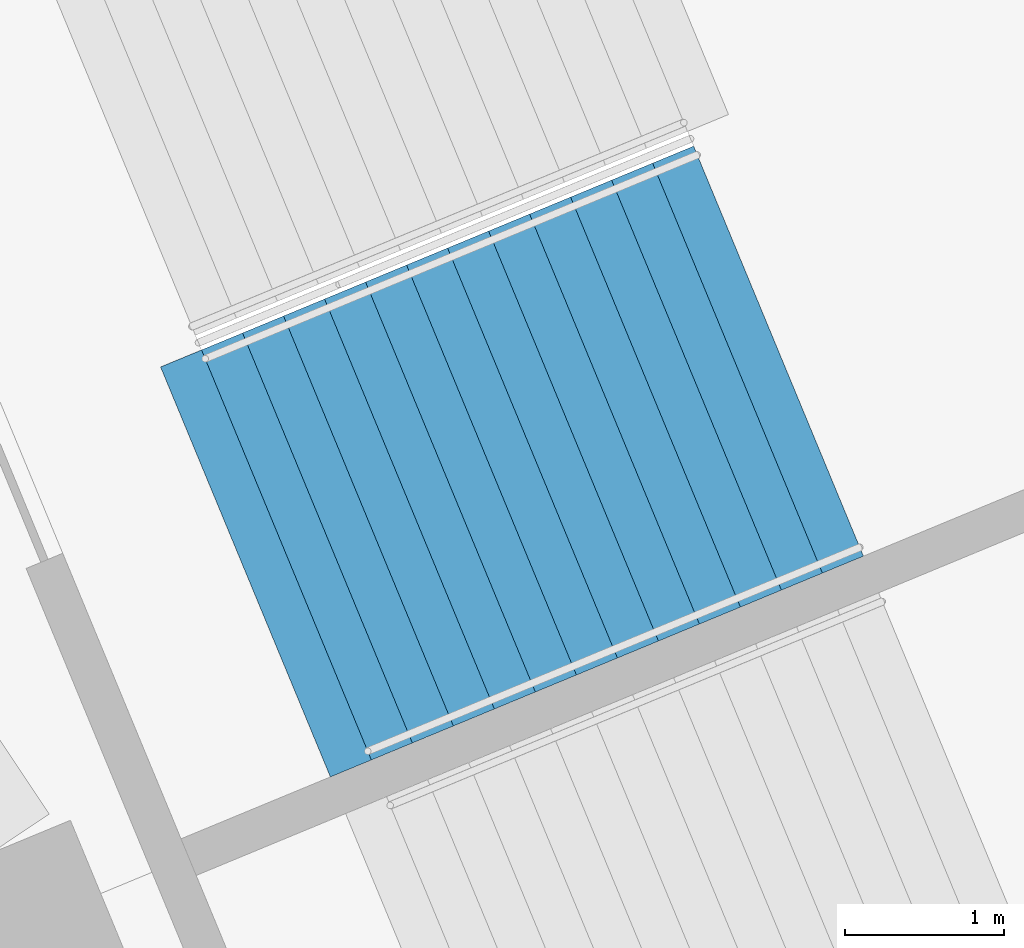
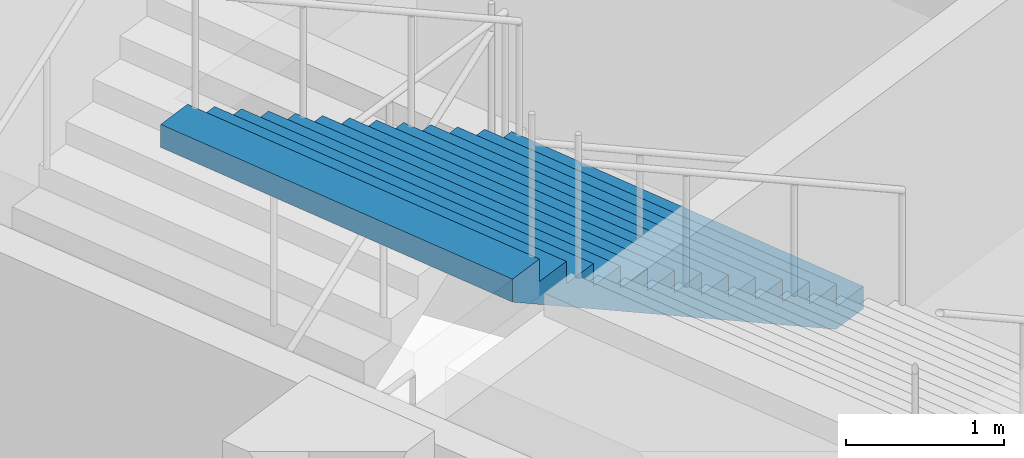
# One storey, part 179 of 199: 1 stair flight, 1 element without a shape of its own.
"""IFC4 building model written with IfcOpenShell, lengths in metres."""

from ifc_helpers import new_model, si_unit, direction, frame, origin, place, context, subcontext, project, spatial, faceted_brep, material, type_object, element, aggregate, save


model = new_model("IFC4")

# Units and contexts
model_context = context("Model", 3, precision=1e-05, world=origin(), true_north=direction((0.0, 1.0)))
body_context = subcontext(model_context, "Body", "Model", "MODEL_VIEW")
ifc_project = project(units=[si_unit("LENGTHUNIT", "METRE"), si_unit("AREAUNIT", "SQUARE_METRE"), si_unit("VOLUMEUNIT", "CUBIC_METRE"), si_unit("PLANEANGLEUNIT", "RADIAN"), si_unit("MASSUNIT", "GRAM", prefix="KILO")], contexts=[model_context])

# Site, building, storey
site_placement = place(None, origin())
site = spatial("IfcSite", under=ifc_project, at=site_placement, CompositionType="ELEMENT")
building_placement = place(site_placement, origin())
building = spatial("IfcBuilding", under=site, at=building_placement, Name="Ogive Plaza Stadium", CompositionType="ELEMENT")
storey_placement = place(building_placement, frame((0.0, 0.0, 4.5)))
storey = spatial("IfcBuildingStorey", under=building, at=storey_placement, Name="L01", CompositionType="ELEMENT", Elevation=4.5)

# Stair, stair flight
ifc_material_1 = material(Name="Concrete C40/50", Category="concrete")
stair_type = type_object("IfcStairType", Name="Exit stair", PredefinedType="STRAIGHT_RUN_STAIR", material=ifc_material_1)
stair_placement = place(storey_placement, origin())
stair = element("IfcStair", 1, at=stair_placement, inside=storey, type_object=stair_type, Name="Exit stair ST40B L01 to L02", PredefinedType="STRAIGHT_RUN_STAIR")
ifc_material_2 = material(Name="Concrete C40/50", Category="concrete")
stair_flight_type = type_object("IfcStairFlightType", Name="Exit stair flight", PredefinedType="STRAIGHT", material=ifc_material_2)
stair_flight_placement = place(storey_placement, frame((75.64697265625, 71.4013671875, 2.25), z_axis=(0.0, 0.0, 1.0), x_axis=(-0.923879532511, -0.382683432365, 0.0)))
stair_flight = element("IfcStairFlight", 2, at=stair_flight_placement, type_object=stair_flight_type, Name="ST40B flight 2", NumberOfRisers=13, NumberOfTreads=12, PredefinedType="STRAIGHT", RiserHeight=0.173076923, TreadLength=0.28, context=body_context, shape_type="Brep", body=[
    faceted_brep([(0.28515625, -1.39990234375, 0.0), (3.639892578125, -1.39990234375, 2.07373046875), (3.639892578125, -1.39990234375, 2.25), (3.360107421875, -1.39990234375, 2.25), (3.360107421875, -1.39990234375, 2.076904296875), (3.080078125, -1.39990234375, 2.076904296875), (3.080078125, -1.39990234375, 1.90380859375), (2.800048828125, -1.39990234375, 1.90380859375), (2.800048828125, -1.39990234375, 1.730712890625), (2.52001953125, -1.39990234375, 1.730712890625), (2.52001953125, -1.39990234375, 1.5576171875), (2.239990234375, -1.39990234375, 1.5576171875), (2.239990234375, -1.39990234375, 1.384521484375), (1.9599609375, -1.39990234375, 1.384521484375), (1.9599609375, -1.39990234375, 1.21142578125), (1.679931640625, -1.39990234375, 1.21142578125), (1.679931640625, -1.39990234375, 1.03857421875), (1.39990234375, -1.39990234375, 1.03857421875), (1.39990234375, -1.39990234375, 0.865478515625), (1.1201171875, -1.39990234375, 0.865478515625), (1.1201171875, -1.39990234375, 0.6923828125), (0.840087890625, -1.39990234375, 0.6923828125), (0.840087890625, -1.39990234375, 0.519287109375), (0.56005859375, -1.39990234375, 0.519287109375), (0.56005859375, -1.39990234375, 0.34619140625), (0.280029296875, -1.39990234375, 0.34619140625), (0.280029296875, -1.39990234375, 0.173095703125), (0.0, -1.39990234375, 0.173095703125), (0.0, -1.39990234375, 0.0), (0.0, 1.39990234375, 0.0), (0.0, 1.39990234375, 0.173095703125), (0.280029296875, 1.39990234375, 0.173095703125), (0.280029296875, 1.39990234375, 0.34619140625), (0.56005859375, 1.39990234375, 0.34619140625), (0.56005859375, 1.39990234375, 0.519287109375), (0.840087890625, 1.39990234375, 0.519287109375), (0.840087890625, 1.39990234375, 0.6923828125), (1.1201171875, 1.39990234375, 0.6923828125), (1.1201171875, 1.39990234375, 0.865478515625), (1.39990234375, 1.39990234375, 0.865478515625), (1.39990234375, 1.39990234375, 1.03857421875), (1.679931640625, 1.39990234375, 1.03857421875), (1.679931640625, 1.39990234375, 1.21142578125), (1.9599609375, 1.39990234375, 1.21142578125), (1.9599609375, 1.39990234375, 1.384521484375), (2.239990234375, 1.39990234375, 1.384521484375), (2.239990234375, 1.39990234375, 1.5576171875), (2.52001953125, 1.39990234375, 1.5576171875), (2.52001953125, 1.39990234375, 1.730712890625), (2.800048828125, 1.39990234375, 1.730712890625), (2.800048828125, 1.39990234375, 1.90380859375), (3.080078125, 1.39990234375, 1.90380859375), (3.080078125, 1.39990234375, 2.076904296875), (3.360107421875, 1.39990234375, 2.076904296875), (3.360107421875, 1.39990234375, 2.25), (3.639892578125, 1.39990234375, 2.25), (3.639892578125, 1.39990234375, 2.07373046875), (0.28515625, 1.39990234375, 0.0), (0.28515625, -1.0888671875, 0.0), (3.639892578125, -1.0888671875, 2.07373046875), (0.28515625, -0.77783203125, 0.0), (3.639892578125, -0.77783203125, 2.07373046875), (0.28515625, -0.466796875, 0.0), (3.639892578125, -0.466796875, 2.07373046875), (0.28515625, -0.155517578125, 0.0), (3.639892578125, -0.155517578125, 2.07373046875), (0.28515625, 0.155517578125, 0.0), (3.639892578125, 0.155517578125, 2.07373046875), (0.28515625, 0.466796875, 0.0), (3.639892578125, 0.466796875, 2.07373046875), (0.28515625, 0.77783203125, 0.0), (3.639892578125, 0.77783203125, 2.07373046875), (0.28515625, 1.0888671875, 0.0), (3.639892578125, 1.0888671875, 2.07373046875), (3.639892578125, -1.0888671875, 2.25), (3.639892578125, -0.77783203125, 2.25), (3.639892578125, -0.466796875, 2.25), (3.639892578125, -0.155517578125, 2.25), (3.639892578125, 0.155517578125, 2.25), (3.639892578125, 0.466796875, 2.25), (3.639892578125, 0.77783203125, 2.25), (3.639892578125, 1.0888671875, 2.25), (3.360107421875, -1.0888671875, 2.25), (3.360107421875, -0.77783203125, 2.25), (3.360107421875, -0.466796875, 2.25), (3.360107421875, -0.155517578125, 2.25), (3.360107421875, 0.155517578125, 2.25), (3.360107421875, 0.466796875, 2.25), (3.360107421875, 0.77783203125, 2.25), (3.360107421875, 1.0888671875, 2.25), (3.360107421875, -1.0888671875, 2.076904296875), (3.360107421875, -0.77783203125, 2.076904296875), (3.360107421875, -0.466796875, 2.076904296875), (3.360107421875, -0.155517578125, 2.076904296875), (3.360107421875, 0.155517578125, 2.076904296875), (3.360107421875, 0.466796875, 2.076904296875), (3.360107421875, 0.77783203125, 2.076904296875), (3.360107421875, 1.0888671875, 2.076904296875), (3.080078125, -1.0888671875, 2.076904296875), (3.080078125, -0.77783203125, 2.076904296875), (3.080078125, -0.466796875, 2.076904296875), (3.080078125, -0.155517578125, 2.076904296875), (3.080078125, 0.155517578125, 2.076904296875), (3.080078125, 0.466796875, 2.076904296875), (3.080078125, 0.77783203125, 2.076904296875), (3.080078125, 1.0888671875, 2.076904296875), (3.080078125, -1.0888671875, 1.90380859375), (3.080078125, -0.77783203125, 1.90380859375), (3.080078125, -0.466796875, 1.90380859375), (3.080078125, -0.155517578125, 1.90380859375), (3.080078125, 0.155517578125, 1.90380859375), (3.080078125, 0.466796875, 1.90380859375), (3.080078125, 0.77783203125, 1.90380859375), (3.080078125, 1.0888671875, 1.90380859375), (2.800048828125, -1.0888671875, 1.90380859375), (2.800048828125, -0.77783203125, 1.90380859375), (2.800048828125, -0.466796875, 1.90380859375), (2.800048828125, -0.155517578125, 1.90380859375), (2.800048828125, 0.155517578125, 1.90380859375), (2.800048828125, 0.466796875, 1.90380859375), (2.800048828125, 0.77783203125, 1.90380859375), (2.800048828125, 1.0888671875, 1.90380859375), (2.800048828125, -1.0888671875, 1.730712890625), (2.800048828125, -0.77783203125, 1.730712890625), (2.800048828125, -0.466796875, 1.730712890625), (2.800048828125, -0.155517578125, 1.730712890625), (2.800048828125, 0.155517578125, 1.730712890625), (2.800048828125, 0.466796875, 1.730712890625), (2.800048828125, 0.77783203125, 1.730712890625), (2.800048828125, 1.0888671875, 1.730712890625), (2.52001953125, -1.0888671875, 1.730712890625), (2.52001953125, -0.77783203125, 1.730712890625), (2.52001953125, -0.466796875, 1.730712890625), (2.52001953125, -0.155517578125, 1.730712890625), (2.52001953125, 0.155517578125, 1.730712890625), (2.52001953125, 0.466796875, 1.730712890625), (2.52001953125, 0.77783203125, 1.730712890625), (2.52001953125, 1.0888671875, 1.730712890625), (2.52001953125, -1.0888671875, 1.5576171875), (2.52001953125, -0.77783203125, 1.5576171875), (2.52001953125, -0.466796875, 1.5576171875), (2.52001953125, -0.155517578125, 1.5576171875), (2.52001953125, 0.155517578125, 1.5576171875), (2.52001953125, 0.466796875, 1.5576171875), (2.52001953125, 0.77783203125, 1.5576171875), (2.52001953125, 1.0888671875, 1.5576171875), (2.239990234375, -1.0888671875, 1.5576171875), (2.239990234375, -0.77783203125, 1.5576171875), (2.239990234375, -0.466796875, 1.5576171875), (2.239990234375, -0.155517578125, 1.5576171875), (2.239990234375, 0.155517578125, 1.5576171875), (2.239990234375, 0.466796875, 1.5576171875), (2.239990234375, 0.77783203125, 1.5576171875), (2.239990234375, 1.0888671875, 1.5576171875), (2.239990234375, -1.0888671875, 1.384521484375), (2.239990234375, -0.77783203125, 1.384521484375), (2.239990234375, -0.466796875, 1.384521484375), (2.239990234375, -0.155517578125, 1.384521484375), (2.239990234375, 0.155517578125, 1.384521484375), (2.239990234375, 0.466796875, 1.384521484375), (2.239990234375, 0.77783203125, 1.384521484375), (2.239990234375, 1.0888671875, 1.384521484375), (1.9599609375, -1.0888671875, 1.384521484375), (1.9599609375, -0.77783203125, 1.384521484375), (1.9599609375, -0.466796875, 1.384521484375), (1.9599609375, -0.155517578125, 1.384521484375), (1.9599609375, 0.155517578125, 1.384521484375), (1.9599609375, 0.466796875, 1.384521484375), (1.9599609375, 0.77783203125, 1.384521484375), (1.9599609375, 1.0888671875, 1.384521484375), (1.9599609375, -1.0888671875, 1.21142578125), (1.9599609375, -0.77783203125, 1.21142578125), (1.9599609375, -0.466796875, 1.21142578125), (1.9599609375, -0.155517578125, 1.21142578125), (1.9599609375, 0.155517578125, 1.21142578125), (1.9599609375, 0.466796875, 1.21142578125), (1.9599609375, 0.77783203125, 1.21142578125), (1.9599609375, 1.0888671875, 1.21142578125), (1.679931640625, -1.0888671875, 1.21142578125), (1.679931640625, -0.77783203125, 1.21142578125), (1.679931640625, -0.466796875, 1.21142578125), (1.679931640625, -0.155517578125, 1.21142578125), (1.679931640625, 0.155517578125, 1.21142578125), (1.679931640625, 0.466796875, 1.21142578125), (1.679931640625, 0.77783203125, 1.21142578125), (1.679931640625, 1.0888671875, 1.21142578125), (1.679931640625, -1.0888671875, 1.03857421875), (1.679931640625, -0.77783203125, 1.03857421875), (1.679931640625, -0.466796875, 1.03857421875), (1.679931640625, -0.155517578125, 1.03857421875), (1.679931640625, 0.155517578125, 1.03857421875), (1.679931640625, 0.466796875, 1.03857421875), (1.679931640625, 0.77783203125, 1.03857421875), (1.679931640625, 1.0888671875, 1.03857421875), (1.39990234375, -1.0888671875, 1.03857421875), (1.39990234375, -0.77783203125, 1.03857421875), (1.39990234375, -0.466796875, 1.03857421875), (1.39990234375, -0.155517578125, 1.03857421875), (1.39990234375, 0.155517578125, 1.03857421875), (1.39990234375, 0.466796875, 1.03857421875), (1.39990234375, 0.77783203125, 1.03857421875), (1.39990234375, 1.0888671875, 1.03857421875), (1.39990234375, -1.0888671875, 0.865478515625), (1.39990234375, -0.77783203125, 0.865478515625), (1.39990234375, -0.466796875, 0.865478515625), (1.39990234375, -0.155517578125, 0.865478515625), (1.39990234375, 0.155517578125, 0.865478515625), (1.39990234375, 0.466796875, 0.865478515625), (1.39990234375, 0.77783203125, 0.865478515625), (1.39990234375, 1.0888671875, 0.865478515625), (1.1201171875, -1.0888671875, 0.865478515625), (1.1201171875, -0.77783203125, 0.865478515625), (1.1201171875, -0.466796875, 0.865478515625), (1.1201171875, -0.155517578125, 0.865478515625), (1.1201171875, 0.155517578125, 0.865478515625), (1.1201171875, 0.466796875, 0.865478515625), (1.1201171875, 0.77783203125, 0.865478515625), (1.1201171875, 1.0888671875, 0.865478515625), (1.1201171875, -1.0888671875, 0.6923828125), (1.1201171875, -0.77783203125, 0.6923828125), (1.1201171875, -0.466796875, 0.6923828125), (1.1201171875, -0.155517578125, 0.6923828125), (1.1201171875, 0.155517578125, 0.6923828125), (1.1201171875, 0.466796875, 0.6923828125), (1.1201171875, 0.77783203125, 0.6923828125), (1.1201171875, 1.0888671875, 0.6923828125), (0.840087890625, -1.0888671875, 0.6923828125), (0.840087890625, -0.77783203125, 0.6923828125), (0.840087890625, -0.466796875, 0.6923828125), (0.840087890625, -0.155517578125, 0.6923828125), (0.840087890625, 0.155517578125, 0.6923828125), (0.840087890625, 0.466796875, 0.6923828125), (0.840087890625, 0.77783203125, 0.6923828125), (0.840087890625, 1.0888671875, 0.6923828125), (0.840087890625, -1.0888671875, 0.519287109375), (0.840087890625, -0.77783203125, 0.519287109375), (0.840087890625, -0.466796875, 0.519287109375), (0.840087890625, -0.155517578125, 0.519287109375), (0.840087890625, 0.155517578125, 0.519287109375), (0.840087890625, 0.466796875, 0.519287109375), (0.840087890625, 0.77783203125, 0.519287109375), (0.840087890625, 1.0888671875, 0.519287109375), (0.56005859375, -1.0888671875, 0.519287109375), (0.56005859375, -0.77783203125, 0.519287109375), (0.56005859375, -0.466796875, 0.519287109375), (0.56005859375, -0.155517578125, 0.519287109375), (0.56005859375, 0.155517578125, 0.519287109375), (0.56005859375, 0.466796875, 0.519287109375), (0.56005859375, 0.77783203125, 0.519287109375), (0.56005859375, 1.0888671875, 0.519287109375), (0.56005859375, -1.0888671875, 0.34619140625), (0.56005859375, -0.77783203125, 0.34619140625), (0.56005859375, -0.466796875, 0.34619140625), (0.56005859375, -0.155517578125, 0.34619140625), (0.56005859375, 0.155517578125, 0.34619140625), (0.56005859375, 0.466796875, 0.34619140625), (0.56005859375, 0.77783203125, 0.34619140625), (0.56005859375, 1.0888671875, 0.34619140625), (0.280029296875, -1.0888671875, 0.34619140625), (0.280029296875, -0.77783203125, 0.34619140625), (0.280029296875, -0.466796875, 0.34619140625), (0.280029296875, -0.155517578125, 0.34619140625), (0.280029296875, 0.155517578125, 0.34619140625), (0.280029296875, 0.466796875, 0.34619140625), (0.280029296875, 0.77783203125, 0.34619140625), (0.280029296875, 1.0888671875, 0.34619140625), (0.280029296875, -1.0888671875, 0.173095703125), (0.280029296875, -0.77783203125, 0.173095703125), (0.280029296875, -0.466796875, 0.173095703125), (0.280029296875, -0.155517578125, 0.173095703125), (0.280029296875, 0.155517578125, 0.173095703125), (0.280029296875, 0.466796875, 0.173095703125), (0.280029296875, 0.77783203125, 0.173095703125), (0.280029296875, 1.0888671875, 0.173095703125), (0.0, -1.0888671875, 0.173095703125), (0.0, -0.77783203125, 0.173095703125), (0.0, -0.466796875, 0.173095703125), (0.0, -0.155517578125, 0.173095703125), (0.0, 0.155517578125, 0.173095703125), (0.0, 0.466796875, 0.173095703125), (0.0, 0.77783203125, 0.173095703125), (0.0, 1.0888671875, 0.173095703125), (0.0, -1.0888671875, 0.0), (0.0, -0.77783203125, 0.0), (0.0, -0.466796875, 0.0), (0.0, -0.155517578125, 0.0), (0.0, 0.155517578125, 0.0), (0.0, 0.466796875, 0.0), (0.0, 0.77783203125, 0.0), (0.0, 1.0888671875, 0.0)], [[[0, 1, 2, 3, 4, 5, 6, 7, 8, 9, 10, 11, 12, 13, 14, 15, 16, 17, 18, 19, 20, 21, 22, 23, 24, 25, 26, 27, 28]], [[29, 30, 31, 32, 33, 34, 35, 36, 37, 38, 39, 40, 41, 42, 43, 44, 45, 46, 47, 48, 49, 50, 51, 52, 53, 54, 55, 56, 57]], [[0, 58, 59, 1]], [[58, 60, 61, 59]], [[60, 62, 63, 61]], [[62, 64, 65, 63]], [[64, 66, 67, 65]], [[66, 68, 69, 67]], [[68, 70, 71, 69]], [[70, 72, 73, 71]], [[72, 57, 56, 73]], [[1, 59, 74, 2]], [[59, 61, 75, 74]], [[61, 63, 76, 75]], [[63, 65, 77, 76]], [[65, 67, 78, 77]], [[67, 69, 79, 78]], [[69, 71, 80, 79]], [[71, 73, 81, 80]], [[73, 56, 55, 81]], [[2, 74, 82, 3]], [[74, 75, 83, 82]], [[75, 76, 84, 83]], [[76, 77, 85, 84]], [[77, 78, 86, 85]], [[78, 79, 87, 86]], [[79, 80, 88, 87]], [[80, 81, 89, 88]], [[81, 55, 54, 89]], [[3, 82, 90, 4]], [[82, 83, 91, 90]], [[83, 84, 92, 91]], [[84, 85, 93, 92]], [[85, 86, 94, 93]], [[86, 87, 95, 94]], [[87, 88, 96, 95]], [[88, 89, 97, 96]], [[89, 54, 53, 97]], [[4, 90, 98, 5]], [[90, 91, 99, 98]], [[91, 92, 100, 99]], [[92, 93, 101, 100]], [[93, 94, 102, 101]], [[94, 95, 103, 102]], [[95, 96, 104, 103]], [[96, 97, 105, 104]], [[97, 53, 52, 105]], [[5, 98, 106, 6]], [[98, 99, 107, 106]], [[99, 100, 108, 107]], [[100, 101, 109, 108]], [[101, 102, 110, 109]], [[102, 103, 111, 110]], [[103, 104, 112, 111]], [[104, 105, 113, 112]], [[105, 52, 51, 113]], [[6, 106, 114, 7]], [[106, 107, 115, 114]], [[107, 108, 116, 115]], [[108, 109, 117, 116]], [[109, 110, 118, 117]], [[110, 111, 119, 118]], [[111, 112, 120, 119]], [[112, 113, 121, 120]], [[113, 51, 50, 121]], [[7, 114, 122, 8]], [[114, 115, 123, 122]], [[115, 116, 124, 123]], [[116, 117, 125, 124]], [[117, 118, 126, 125]], [[118, 119, 127, 126]], [[119, 120, 128, 127]], [[120, 121, 129, 128]], [[121, 50, 49, 129]], [[8, 122, 130, 9]], [[122, 123, 131, 130]], [[123, 124, 132, 131]], [[124, 125, 133, 132]], [[125, 126, 134, 133]], [[126, 127, 135, 134]], [[127, 128, 136, 135]], [[128, 129, 137, 136]], [[129, 49, 48, 137]], [[9, 130, 138, 10]], [[130, 131, 139, 138]], [[131, 132, 140, 139]], [[132, 133, 141, 140]], [[133, 134, 142, 141]], [[134, 135, 143, 142]], [[135, 136, 144, 143]], [[136, 137, 145, 144]], [[137, 48, 47, 145]], [[10, 138, 146, 11]], [[138, 139, 147, 146]], [[139, 140, 148, 147]], [[140, 141, 149, 148]], [[141, 142, 150, 149]], [[142, 143, 151, 150]], [[143, 144, 152, 151]], [[144, 145, 153, 152]], [[145, 47, 46, 153]], [[11, 146, 154, 12]], [[146, 147, 155, 154]], [[147, 148, 156, 155]], [[148, 149, 157, 156]], [[149, 150, 158, 157]], [[150, 151, 159, 158]], [[151, 152, 160, 159]], [[152, 153, 161, 160]], [[153, 46, 45, 161]], [[12, 154, 162, 13]], [[154, 155, 163, 162]], [[155, 156, 164, 163]], [[156, 157, 165, 164]], [[157, 158, 166, 165]], [[158, 159, 167, 166]], [[159, 160, 168, 167]], [[160, 161, 169, 168]], [[161, 45, 44, 169]], [[13, 162, 170, 14]], [[162, 163, 171, 170]], [[163, 164, 172, 171]], [[164, 165, 173, 172]], [[165, 166, 174, 173]], [[166, 167, 175, 174]], [[167, 168, 176, 175]], [[168, 169, 177, 176]], [[169, 44, 43, 177]], [[14, 170, 178, 15]], [[170, 171, 179, 178]], [[171, 172, 180, 179]], [[172, 173, 181, 180]], [[173, 174, 182, 181]], [[174, 175, 183, 182]], [[175, 176, 184, 183]], [[176, 177, 185, 184]], [[177, 43, 42, 185]], [[15, 178, 186, 16]], [[178, 179, 187, 186]], [[179, 180, 188, 187]], [[180, 181, 189, 188]], [[181, 182, 190, 189]], [[182, 183, 191, 190]], [[183, 184, 192, 191]], [[184, 185, 193, 192]], [[185, 42, 41, 193]], [[16, 186, 194, 17]], [[186, 187, 195, 194]], [[187, 188, 196, 195]], [[188, 189, 197, 196]], [[189, 190, 198, 197]], [[190, 191, 199, 198]], [[191, 192, 200, 199]], [[192, 193, 201, 200]], [[193, 41, 40, 201]], [[17, 194, 202, 18]], [[194, 195, 203, 202]], [[195, 196, 204, 203]], [[196, 197, 205, 204]], [[197, 198, 206, 205]], [[198, 199, 207, 206]], [[199, 200, 208, 207]], [[200, 201, 209, 208]], [[201, 40, 39, 209]], [[18, 202, 210, 19]], [[202, 203, 211, 210]], [[203, 204, 212, 211]], [[204, 205, 213, 212]], [[205, 206, 214, 213]], [[206, 207, 215, 214]], [[207, 208, 216, 215]], [[208, 209, 217, 216]], [[209, 39, 38, 217]], [[19, 210, 218, 20]], [[210, 211, 219, 218]], [[211, 212, 220, 219]], [[212, 213, 221, 220]], [[213, 214, 222, 221]], [[214, 215, 223, 222]], [[215, 216, 224, 223]], [[216, 217, 225, 224]], [[217, 38, 37, 225]], [[20, 218, 226, 21]], [[218, 219, 227, 226]], [[219, 220, 228, 227]], [[220, 221, 229, 228]], [[221, 222, 230, 229]], [[222, 223, 231, 230]], [[223, 224, 232, 231]], [[224, 225, 233, 232]], [[225, 37, 36, 233]], [[21, 226, 234, 22]], [[226, 227, 235, 234]], [[227, 228, 236, 235]], [[228, 229, 237, 236]], [[229, 230, 238, 237]], [[230, 231, 239, 238]], [[231, 232, 240, 239]], [[232, 233, 241, 240]], [[233, 36, 35, 241]], [[22, 234, 242, 23]], [[234, 235, 243, 242]], [[235, 236, 244, 243]], [[236, 237, 245, 244]], [[237, 238, 246, 245]], [[238, 239, 247, 246]], [[239, 240, 248, 247]], [[240, 241, 249, 248]], [[241, 35, 34, 249]], [[23, 242, 250, 24]], [[242, 243, 251, 250]], [[243, 244, 252, 251]], [[244, 245, 253, 252]], [[245, 246, 254, 253]], [[246, 247, 255, 254]], [[247, 248, 256, 255]], [[248, 249, 257, 256]], [[249, 34, 33, 257]], [[24, 250, 258, 25]], [[250, 251, 259, 258]], [[251, 252, 260, 259]], [[252, 253, 261, 260]], [[253, 254, 262, 261]], [[254, 255, 263, 262]], [[255, 256, 264, 263]], [[256, 257, 265, 264]], [[257, 33, 32, 265]], [[25, 258, 266, 26]], [[258, 259, 267, 266]], [[259, 260, 268, 267]], [[260, 261, 269, 268]], [[261, 262, 270, 269]], [[262, 263, 271, 270]], [[263, 264, 272, 271]], [[264, 265, 273, 272]], [[265, 32, 31, 273]], [[26, 266, 274, 27]], [[266, 267, 275, 274]], [[267, 268, 276, 275]], [[268, 269, 277, 276]], [[269, 270, 278, 277]], [[270, 271, 279, 278]], [[271, 272, 280, 279]], [[272, 273, 281, 280]], [[273, 31, 30, 281]], [[27, 274, 282, 28]], [[274, 275, 283, 282]], [[275, 276, 284, 283]], [[276, 277, 285, 284]], [[277, 278, 286, 285]], [[278, 279, 287, 286]], [[279, 280, 288, 287]], [[280, 281, 289, 288]], [[281, 30, 29, 289]], [[28, 282, 58, 0]], [[282, 283, 60, 58]], [[283, 284, 62, 60]], [[284, 285, 64, 62]], [[285, 286, 66, 64]], [[286, 287, 68, 66]], [[287, 288, 70, 68]], [[288, 289, 72, 70]], [[289, 29, 57, 72]]]),
])
aggregate(stair, [stair_flight])

save(model, "model.ifc")
